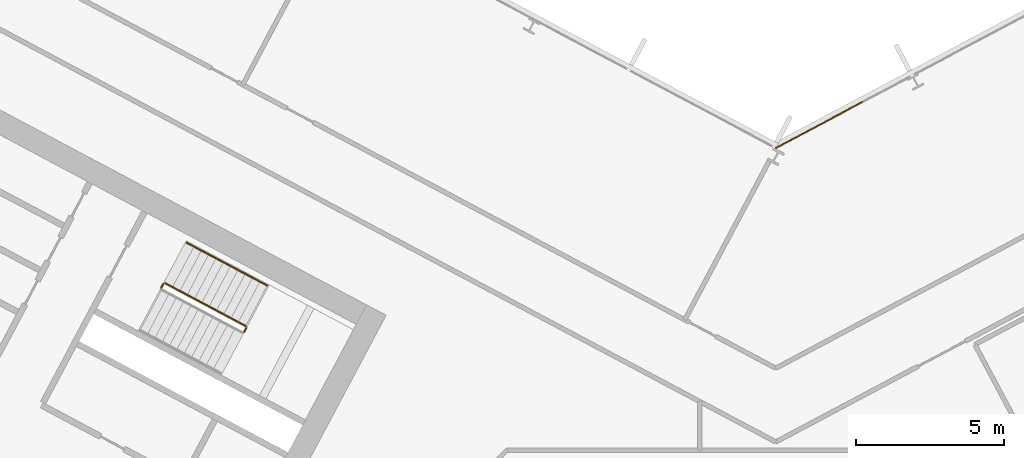
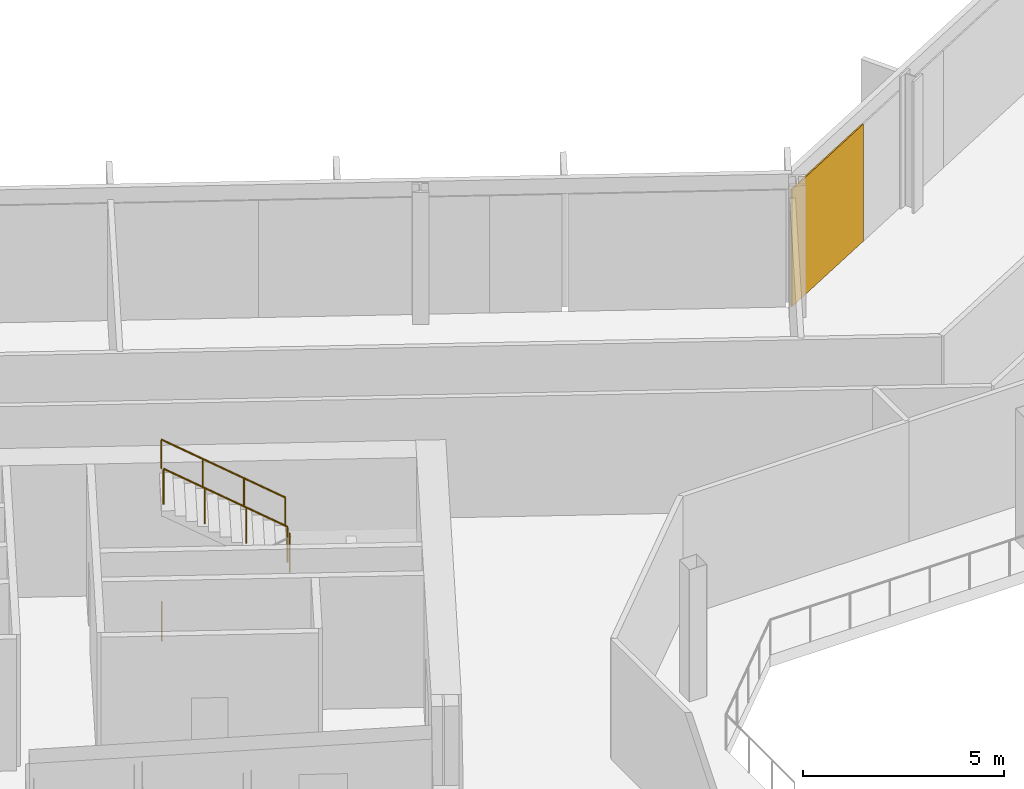
# One storey, part 23 of 28: 4 railings, 1 covering, 1 element without a shape of its own.
"""IFC4 building model written with IfcOpenShell, lengths in metres."""

from ifc_helpers import new_model, si_unit, direction, frame, origin, origin_2d, place, context, subcontext, project, spatial, polyline, rectangle, outline, extrude, material, layer, layer_set, type_object, element, aggregate, save


model = new_model("IFC4")

# Units and contexts
model_context = context("Model", 3, precision=1e-05, world=origin(), true_north=direction((0.0, 1.0)))
body_context = subcontext(model_context, "Body", "Model", "MODEL_VIEW")
ifc_project = project(units=[si_unit("LENGTHUNIT", "METRE"), si_unit("AREAUNIT", "SQUARE_METRE"), si_unit("VOLUMEUNIT", "CUBIC_METRE"), si_unit("PLANEANGLEUNIT", "RADIAN"), si_unit("MASSUNIT", "GRAM", prefix="KILO")], contexts=[model_context])

# Site, building, storey
site_placement = place(None, origin())
site = spatial("IfcSite", under=ifc_project, at=site_placement, CompositionType="ELEMENT")
building_placement = place(site_placement, origin())
building = spatial("IfcBuilding", under=site, at=building_placement, Name="Cormorant Relay Tower", CompositionType="ELEMENT")
storey_placement = place(building_placement, frame((0.0, 0.0, 154.199951171875)))
storey = spatial("IfcBuildingStorey", under=building, at=storey_placement, Name="L32", CompositionType="ELEMENT", Elevation=154.199951171875)

# Curtain wall, covering
ifc_material_1 = material(Name="Aluminium 6063-T6 anodised bronze", Category="aluminium")
ifc_layer_1 = layer(ifc_material_1, 0.199951171875)
ifc_layer_set_1 = layer_set([ifc_layer_1], Name="CW1 unitised bronze curtain wall with vertical fins")
curtain_wall_type = type_object("IfcCurtainWallType", Name="CW1 unitised bronze curtain wall with vertical fins", PredefinedType="NOTDEFINED", material=ifc_layer_set_1)
curtain_wall_placement = place(storey_placement, origin())
curtain_wall = element("IfcCurtainWall", 1, at=curtain_wall_placement, inside=storey, type_object=curtain_wall_type, Name="CW1 curtain wall 8", PredefinedType="NOTDEFINED")
ifc_material_2 = material(Name="Pale bronze anodised aluminium insulated panel", Category="aluminium")
ifc_layer_2 = layer(ifc_material_2, 0.0400390625)
ifc_layer_set_2 = layer_set([ifc_layer_2], Name="CW1 pale bronze insulated panel 40")
covering_type = type_object("IfcCoveringType", Name="CW1 pale bronze insulated panel 40", PredefinedType="CLADDING", material=ifc_layer_set_2)
covering_placement = place(storey_placement, frame((1.471435546875, 24.589111328125, 0.0), z_axis=(0.0, 0.0, 1.0), x_axis=(-0.882947592859, -0.469471562786, 0.0)))
covering = element("IfcCovering", 2, at=covering_placement, type_object=covering_type, Name="CW1 panel S10", PredefinedType="CLADDING", context=body_context, shape_type="SweptSolid", body=[
    extrude(rectangle(XDim=3.354248046875, YDim=0.0400390625, at=origin_2d()), origin(), (0.0, 0.0, 1.0), 3.550048828125),
])
aggregate(curtain_wall, [covering])

# Railings
ifc_material_3 = material(Name="Steel ASTM A572 Grade 50 (Fy 345 MPa)", Category="steel")
railing_type_1 = type_object("IfcRailingType", Name="Stair guard 1100", PredefinedType="GUARDRAIL", material=ifc_material_3)
railing_1_placement = place(storey_placement, frame((-17.96337890625, 17.592529296875, 2.0)))
element("IfcRailing", 3, at=railing_1_placement, inside=storey, type_object=railing_type_1, Name="L32 A1 stair guard 2", PredefinedType="GUARDRAIL", context=body_context, shape_type="SweptSolid", body=[
    extrude(outline(polyline([(0.022216796875, 0.00927734375), (0.00927734375, 0.022216796875), (-0.00927734375, 0.022216796875), (-0.022216796875, 0.00927734375), (-0.022216796875, -0.00927734375), (-0.00927734375, -0.022216796875), (0.00927734375, -0.022216796875), (0.022216796875, -0.00927734375), (0.022216796875, 0.00927734375)])), frame((0.0, 0.0, 1.076171875), z_axis=(0.46856034887, 0.8834314911, 0.0), x_axis=(-0.8834314911, 0.46856034887, 0.0)), (0.0, 0.0, 1.0), 0.150146484375),
    extrude(outline(polyline([(0.019287109375, 0.008056640625), (0.008056640625, 0.019287109375), (-0.008056640625, 0.019287109375), (-0.019287109375, 0.008056640625), (-0.019287109375, -0.008056640625), (-0.008056640625, -0.019287109375), (0.008056640625, -0.019287109375), (0.019287109375, -0.008056640625), (0.019287109375, 0.008056640625)])), origin(), (0.0, 0.0, 1.0), 1.052001953125),
    extrude(outline(polyline([(0.019287109375, 0.008056640625), (0.008056640625, 0.019287109375), (-0.008056640625, 0.019287109375), (-0.019287109375, 0.008056640625), (-0.019287109375, -0.008056640625), (-0.008056640625, -0.019287109375), (0.008056640625, -0.019287109375), (0.019287109375, -0.008056640625), (0.019287109375, 0.008056640625)])), frame((0.0703125, 0.132568359375, 0.0)), (0.0, 0.0, 1.0), 1.052001953125),
])
railing_2_placement = place(storey_placement, frame((-17.913818359375, 17.792724609375, 2.166748046875)))
element("IfcRailing", 4, at=railing_2_placement, inside=storey, type_object=railing_type_1, Name="L32 A1 stair guard 3", PredefinedType="GUARDRAIL", context=body_context, shape_type="SweptSolid", body=[
    extrude(outline(polyline([(0.022216796875, 0.00927734375), (0.00927734375, 0.022216796875), (-0.00927734375, 0.022216796875), (-0.022216796875, 0.00927734375), (-0.022216796875, -0.00927734375), (-0.00927734375, -0.022216796875), (0.00927734375, -0.022216796875), (0.022216796875, -0.00927734375), (0.022216796875, 0.00927734375)])), frame((0.0, 0.0, 1.076171875), z_axis=(-0.758734504837, 0.403377838015, 0.511476559549), x_axis=(-0.469427602063, -0.882970965786, 0.0)), (0.0, 0.0, 1.0), 3.584228515625),
    extrude(outline(polyline([(0.019287109375, 0.008056640625), (0.008056640625, 0.019287109375), (-0.008056640625, 0.019287109375), (-0.019287109375, 0.008056640625), (-0.019287109375, -0.008056640625), (-0.008056640625, -0.019287109375), (0.008056640625, -0.019287109375), (0.019287109375, -0.008056640625), (0.019287109375, 0.008056640625)])), origin(), (0.0, 0.0, 1.0), 1.052001953125),
    extrude(outline(polyline([(0.019287109375, 0.008056640625), (0.008056640625, 0.019287109375), (-0.008056640625, 0.019287109375), (-0.019287109375, 0.008056640625), (-0.019287109375, -0.008056640625), (-0.008056640625, -0.019287109375), (0.008056640625, -0.019287109375), (0.019287109375, -0.008056640625), (0.019287109375, 0.008056640625)])), frame((-0.906494140625, 0.48193359375, 0.611083984375)), (0.0, 0.0, 1.0), 1.052001953125),
    extrude(outline(polyline([(0.019287109375, 0.008056640625), (0.008056640625, 0.019287109375), (-0.008056640625, 0.019287109375), (-0.019287109375, 0.008056640625), (-0.019287109375, -0.008056640625), (-0.008056640625, -0.019287109375), (0.008056640625, -0.019287109375), (0.019287109375, -0.008056640625), (0.019287109375, 0.008056640625)])), frame((-1.81298828125, 0.9638671875, 1.22216796875)), (0.0, 0.0, 1.0), 1.052001953125),
    extrude(outline(polyline([(0.019287109375, 0.008056640625), (0.008056640625, 0.019287109375), (-0.008056640625, 0.019287109375), (-0.019287109375, 0.008056640625), (-0.019287109375, -0.008056640625), (-0.008056640625, -0.019287109375), (0.008056640625, -0.019287109375), (0.019287109375, -0.008056640625), (0.019287109375, 0.008056640625)])), frame((-2.719482421875, 1.44580078125, 1.833251953125)), (0.0, 0.0, 1.0), 1.052001953125),
])
railing_3_placement = place(storey_placement, frame((-20.771240234375, 19.08544921875, 0.0)))
element("IfcRailing", 5, at=railing_3_placement, inside=storey, type_object=railing_type_1, Name="L32 A1 stair guard 4", PredefinedType="GUARDRAIL", context=body_context, shape_type="SweptSolid", body=[
    extrude(outline(polyline([(0.022216796875, 0.00927734375), (0.00927734375, 0.022216796875), (-0.00927734375, 0.022216796875), (-0.022216796875, 0.00927734375), (-0.022216796875, -0.00927734375), (-0.00927734375, -0.022216796875), (0.00927734375, -0.022216796875), (0.022216796875, -0.00927734375), (0.022216796875, 0.00927734375)])), frame((0.0, 0.0, 1.076171875), z_axis=(0.469828648786, 0.882757634224, 0.0), x_axis=(-0.882757634224, 0.469828648786, 0.0)), (0.0, 0.0, 1.0), 0.150146484375),
    extrude(outline(polyline([(0.019287109375, 0.008056640625), (0.008056640625, 0.019287109375), (-0.008056640625, 0.019287109375), (-0.019287109375, 0.008056640625), (-0.019287109375, -0.008056640625), (-0.008056640625, -0.019287109375), (0.008056640625, -0.019287109375), (0.019287109375, -0.008056640625), (0.019287109375, 0.008056640625)])), origin(), (0.0, 0.0, 1.0), 1.052001953125),
    extrude(outline(polyline([(0.019287109375, 0.008056640625), (0.008056640625, 0.019287109375), (-0.008056640625, 0.019287109375), (-0.019287109375, 0.008056640625), (-0.019287109375, -0.008056640625), (-0.008056640625, -0.019287109375), (0.008056640625, -0.019287109375), (0.019287109375, -0.008056640625), (0.019287109375, 0.008056640625)])), frame((0.070556640625, 0.132568359375, 0.0)), (0.0, 0.0, 1.0), 1.052001953125),
])
ifc_material_4 = material(Name="Steel ASTM A572 Grade 50 (Fy 345 MPa)", Category="steel")
railing_type_2 = type_object("IfcRailingType", Name="Stair handrail 900", PredefinedType="HANDRAIL", material=ifc_material_4)
railing_4_placement = place(storey_placement, frame((-17.18603515625, 19.1611328125, 2.166748046875)))
element("IfcRailing", 6, at=railing_4_placement, inside=storey, type_object=railing_type_2, Name="L32 A1 stair handrail 2", PredefinedType="HANDRAIL", context=body_context, shape_type="SweptSolid", body=[
    extrude(outline(polyline([(0.022216796875, 0.00927734375), (0.00927734375, 0.022216796875), (-0.00927734375, 0.022216796875), (-0.022216796875, 0.00927734375), (-0.022216796875, -0.00927734375), (-0.00927734375, -0.022216796875), (0.00927734375, -0.022216796875), (0.022216796875, -0.00927734375), (0.022216796875, 0.00927734375)])), frame((0.0, 0.0, 0.8759765625), z_axis=(-0.758713656843, 0.403434867536, 0.511462505542), x_axis=(-0.469489399267, -0.882938108802, 0.0)), (0.0, 0.0, 1.0), 3.584228515625),
    extrude(outline(polyline([(0.019287109375, 0.008056640625), (0.008056640625, 0.019287109375), (-0.008056640625, 0.019287109375), (-0.019287109375, 0.008056640625), (-0.019287109375, -0.008056640625), (-0.008056640625, -0.019287109375), (0.008056640625, -0.019287109375), (0.019287109375, -0.008056640625), (0.019287109375, 0.008056640625)])), origin(), (0.0, 0.0, 1.0), 0.851806640625),
    extrude(outline(polyline([(0.019287109375, 0.008056640625), (0.008056640625, 0.019287109375), (-0.008056640625, 0.019287109375), (-0.019287109375, 0.008056640625), (-0.019287109375, -0.008056640625), (-0.008056640625, -0.019287109375), (0.008056640625, -0.019287109375), (0.019287109375, -0.008056640625), (0.019287109375, 0.008056640625)])), frame((-0.906494140625, 0.48193359375, 0.611083984375)), (0.0, 0.0, 1.0), 0.851806640625),
    extrude(outline(polyline([(0.019287109375, 0.008056640625), (0.008056640625, 0.019287109375), (-0.008056640625, 0.019287109375), (-0.019287109375, 0.008056640625), (-0.019287109375, -0.008056640625), (-0.008056640625, -0.019287109375), (0.008056640625, -0.019287109375), (0.019287109375, -0.008056640625), (0.019287109375, 0.008056640625)])), frame((-1.81298828125, 0.964111328125, 1.22216796875)), (0.0, 0.0, 1.0), 0.851806640625),
    extrude(outline(polyline([(0.019287109375, 0.008056640625), (0.008056640625, 0.019287109375), (-0.008056640625, 0.019287109375), (-0.019287109375, 0.008056640625), (-0.019287109375, -0.008056640625), (-0.008056640625, -0.019287109375), (0.008056640625, -0.019287109375), (0.019287109375, -0.008056640625), (0.019287109375, 0.008056640625)])), frame((-2.719482421875, 1.446044921875, 1.833251953125)), (0.0, 0.0, 1.0), 0.851806640625),
])

save(model, "model.ifc")
